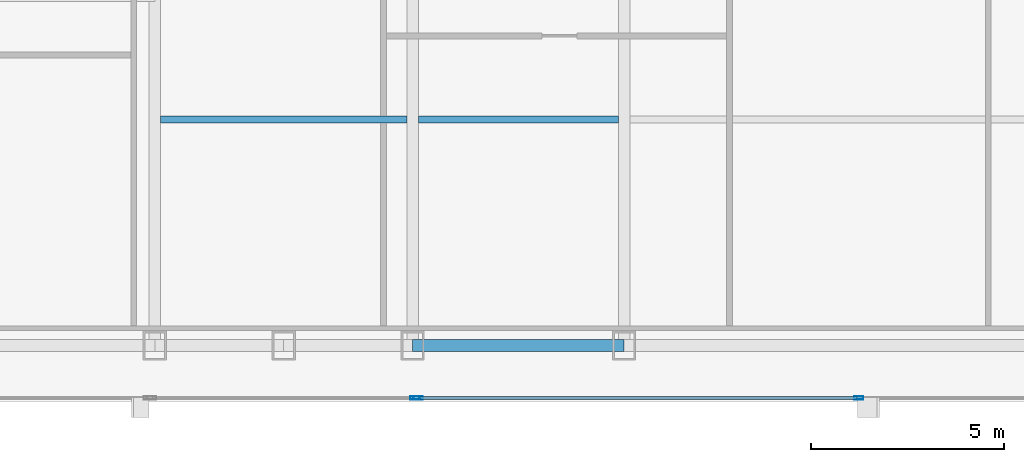
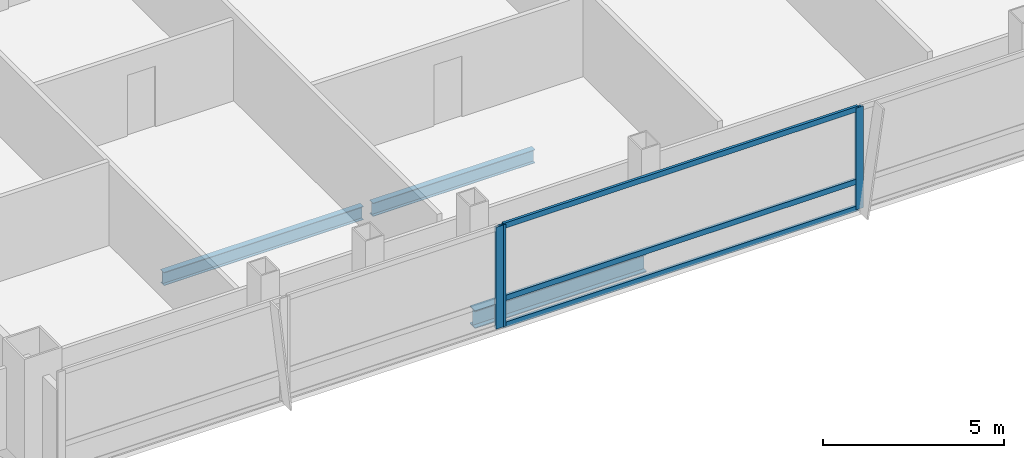
# One storey, part 8 of 30: 6 members, 3 beams, 2 elements without a shape of their own.
"""IFC4 building model written with IfcOpenShell, lengths in metres."""

from ifc_helpers import new_model, si_unit, direction, frame, origin, origin_2d, place, context, subcontext, project, spatial, hollow_rectangle, i_section, extrude, material, material_profile, profile_set, type_object, element, aggregate, save


model = new_model("IFC4")

# Units and contexts
model_context = context("Model", 3, precision=1e-05, world=origin(), true_north=direction((0.0, 1.0)))
body_context = subcontext(model_context, "Body", "Model", "MODEL_VIEW")
ifc_project = project(units=[si_unit("LENGTHUNIT", "METRE"), si_unit("AREAUNIT", "SQUARE_METRE"), si_unit("VOLUMEUNIT", "CUBIC_METRE"), si_unit("PLANEANGLEUNIT", "RADIAN"), si_unit("MASSUNIT", "GRAM", prefix="KILO")], contexts=[model_context])

# Site, building, storey
site_placement = place(None, origin())
site = spatial("IfcSite", under=ifc_project, at=site_placement, CompositionType="ELEMENT")
building_placement = place(site_placement, origin())
building = spatial("IfcBuilding", under=site, at=building_placement, Name="Khoronbel Lancet Exchange", CompositionType="ELEMENT")
storey_placement = place(building_placement, frame((0.0, 0.0, 213.800048828125)))
storey = spatial("IfcBuildingStorey", under=building, at=storey_placement, Name="L54", CompositionType="ELEMENT", Elevation=213.800048828125)

# Beams
ifc_material_1 = material(Name="Steel S355", Category="steel")
ifc_material_profile_1 = material_profile(ifc_material_1, i_section(OverallWidth=0.18994140625, OverallDepth=0.449951171875, WebThickness=0.009521484375, FlangeThickness=0.0146484375, at=origin_2d()), Name="IPE 450")
ifc_profile_set_1 = profile_set([ifc_material_profile_1], Name="Steel S355")
beam_type_1 = type_object("IfcBeamType", Name="BM-BJ4", PredefinedType="JOIST", material=ifc_profile_set_1)
beam_1_placement = place(storey_placement, frame((18.375, 16.0, -0.385009765625), z_axis=(1.0, 0.0, 0.0), x_axis=(0.0, 1.0, 0.0)))
element("IfcBeam", 1, at=beam_1_placement, inside=storey, type_object=beam_type_1, Name="Level L54 secondary composite joist J01", PredefinedType="JOIST", context=body_context, shape_type="SweptSolid", body=[
    extrude(i_section(OverallWidth=0.18994140625, OverallDepth=0.449951171875, WebThickness=0.009521484375, FlangeThickness=0.0146484375, at=origin_2d()), origin(), (0.0, 0.0, 1.0), 6.375),
])
beam_2_placement = place(storey_placement, frame((25.050048828125, 16.0, -0.385009765625), z_axis=(1.0, 0.0, 0.0), x_axis=(0.0, 1.0, 0.0)))
element("IfcBeam", 2, at=beam_2_placement, inside=storey, type_object=beam_type_1, Name="Level L54 secondary composite joist J02", PredefinedType="JOIST", context=body_context, shape_type="SweptSolid", body=[
    extrude(i_section(OverallWidth=0.18994140625, OverallDepth=0.449951171875, WebThickness=0.009521484375, FlangeThickness=0.0146484375, at=origin_2d()), origin(), (0.0, 0.0, 1.0), 5.175048828125),
])
ifc_material_profile_2 = material_profile(ifc_material_1, i_section(OverallWidth=0.300048828125, OverallDepth=0.60009765625, WebThickness=0.015380859375, FlangeThickness=0.030029296875, at=origin_2d()), Name="HEB 600")
ifc_profile_set_2 = profile_set([ifc_material_profile_2], Name="Steel S355")
beam_type_2 = type_object("IfcBeamType", Name="BM-BSP2", PredefinedType="SPANDREL", material=ifc_profile_set_2)
beam_3_placement = place(storey_placement, frame((24.89990234375, 10.14990234375, -0.4599609375), z_axis=(1.0, 0.0, 0.0), x_axis=(0.0, 1.0, 0.0)))
element("IfcBeam", 3, at=beam_3_placement, inside=storey, type_object=beam_type_2, Name="Level L54 perimeter spandrel beam SP04", PredefinedType="SPANDREL", context=body_context, shape_type="SweptSolid", body=[
    extrude(i_section(OverallWidth=0.300048828125, OverallDepth=0.60009765625, WebThickness=0.015380859375, FlangeThickness=0.030029296875, at=origin_2d()), origin(), (0.0, 0.0, 1.0), 5.47509765625),
])

# Curtain wall, member
ifc_material_2 = material(Name="Low-E Solar Control Insulating Glass", Category="glass")
curtain_wall_type = type_object("IfcCurtainWallType", Name="CW-3", PredefinedType="NOTDEFINED", material=ifc_material_2)
curtain_wall_1_placement = place(storey_placement, origin())
curtain_wall_1 = element("IfcCurtainWall", 4, at=curtain_wall_1_placement, inside=storey, type_object=curtain_wall_type, Name="Unitised curtain wall CW-L54-SWB", PredefinedType="NOTDEFINED")
ifc_material_3 = material(Name="Bronze-Anodised Aluminium 6063-T6", Category="aluminium")
ifc_material_profile_3 = material_profile(ifc_material_3, hollow_rectangle(XDim=0.0849609375, YDim=0.239990234375, WallThickness=0.006103515625, at=origin_2d()), Name="ALU MULLION 85x240")
ifc_profile_set_3 = profile_set([ifc_material_profile_3], Name="Bronze-Anodised Aluminium 6063-T6")
member_type_1 = type_object("IfcMemberType", Name="MEM-CWM1", PredefinedType="MULLION", material=ifc_profile_set_3)
member_1_placement = place(storey_placement, frame((24.95751953125, 8.7900390625, 0.0), z_axis=(0.0, 0.0, 1.0), x_axis=(0.0, 1.0, 0.0)))
member_1 = element("IfcMember", 5, at=member_1_placement, type_object=member_type_1, Name="CW3 mullion 2", PredefinedType="MULLION", context=body_context, shape_type="SweptSolid", body=[
    extrude(hollow_rectangle(XDim=0.0849609375, YDim=0.239990234375, WallThickness=0.006103515625, at=origin_2d()), origin(), (0.0, 0.0, 1.0), 3.43994140625),
])
aggregate(curtain_wall_1, [member_1])

# Curtain wall, members
curtain_wall_2_placement = place(storey_placement, origin())
curtain_wall_2 = element("IfcCurtainWall", 6, at=curtain_wall_2_placement, inside=storey, type_object=curtain_wall_type, Name="Unitised curtain wall CW-L54-SCV", PredefinedType="NOTDEFINED")
member_2_placement = place(storey_placement, frame((25.04248046875, 8.7900390625, 0.0), z_axis=(0.0, 0.0, 1.0), x_axis=(0.0, 1.0, 0.0)))
member_2 = element("IfcMember", 7, at=member_2_placement, type_object=member_type_1, Name="CW3 mullion 1", PredefinedType="MULLION", context=body_context, shape_type="SweptSolid", body=[
    extrude(hollow_rectangle(XDim=0.0849609375, YDim=0.239990234375, WallThickness=0.006103515625, at=origin_2d()), origin(), (0.0, 0.0, 1.0), 3.43994140625),
])
member_3_placement = place(storey_placement, frame((36.449951171875, 8.7900390625, 0.0), z_axis=(0.0, 0.0, 1.0), x_axis=(0.0, 1.0, 0.0)))
member_3 = element("IfcMember", 8, at=member_3_placement, type_object=member_type_1, Name="CW3 mullion 2", PredefinedType="MULLION", context=body_context, shape_type="SweptSolid", body=[
    extrude(hollow_rectangle(XDim=0.0849609375, YDim=0.239990234375, WallThickness=0.006103515625, at=origin_2d()), origin(), (0.0, 0.0, 1.0), 3.43994140625),
])
ifc_material_profile_4 = material_profile(ifc_material_3, hollow_rectangle(XDim=0.0849609375, YDim=0.179931640625, WallThickness=0.0048828125, at=origin_2d()), Name="ALU TRANSOM 85x180")
ifc_profile_set_4 = profile_set([ifc_material_profile_4], Name="Bronze-Anodised Aluminium 6063-T6")
member_type_2 = type_object("IfcMemberType", Name="MEM-CWT1", PredefinedType="USERDEFINED", material=ifc_profile_set_4)
member_4_placement = place(storey_placement, frame((25.0849609375, 8.7900390625, 0.04248046875), z_axis=(1.0, 0.0, 0.0), x_axis=(0.0, 1.0, 0.0)))
member_4 = element("IfcMember", 9, at=member_4_placement, type_object=member_type_2, Name="CW3 transom 1.1", ObjectType="TRANSOM", PredefinedType="USERDEFINED", context=body_context, shape_type="SweptSolid", body=[
    extrude(hollow_rectangle(XDim=0.0849609375, YDim=0.179931640625, WallThickness=0.0048828125, at=origin_2d()), origin(), (0.0, 0.0, 1.0), 11.322509765625),
])
member_5_placement = place(storey_placement, frame((25.0849609375, 8.7900390625, 0.949951171875), z_axis=(1.0, 0.0, 0.0), x_axis=(0.0, 1.0, 0.0)))
member_5 = element("IfcMember", 10, at=member_5_placement, type_object=member_type_2, Name="CW3 transom 1.2", ObjectType="TRANSOM", PredefinedType="USERDEFINED", context=body_context, shape_type="SweptSolid", body=[
    extrude(hollow_rectangle(XDim=0.0849609375, YDim=0.179931640625, WallThickness=0.0048828125, at=origin_2d()), origin(), (0.0, 0.0, 1.0), 11.322509765625),
])
member_6_placement = place(storey_placement, frame((25.0849609375, 8.7900390625, 3.3974609375), z_axis=(1.0, 0.0, 0.0), x_axis=(0.0, 1.0, 0.0)))
member_6 = element("IfcMember", 11, at=member_6_placement, type_object=member_type_2, Name="CW3 transom 1.3", ObjectType="TRANSOM", PredefinedType="USERDEFINED", context=body_context, shape_type="SweptSolid", body=[
    extrude(hollow_rectangle(XDim=0.0849609375, YDim=0.179931640625, WallThickness=0.0048828125, at=origin_2d()), origin(), (0.0, 0.0, 1.0), 11.322509765625),
])
aggregate(curtain_wall_2, [member_2, member_3, member_4, member_5, member_6])

save(model, "model.ifc")
